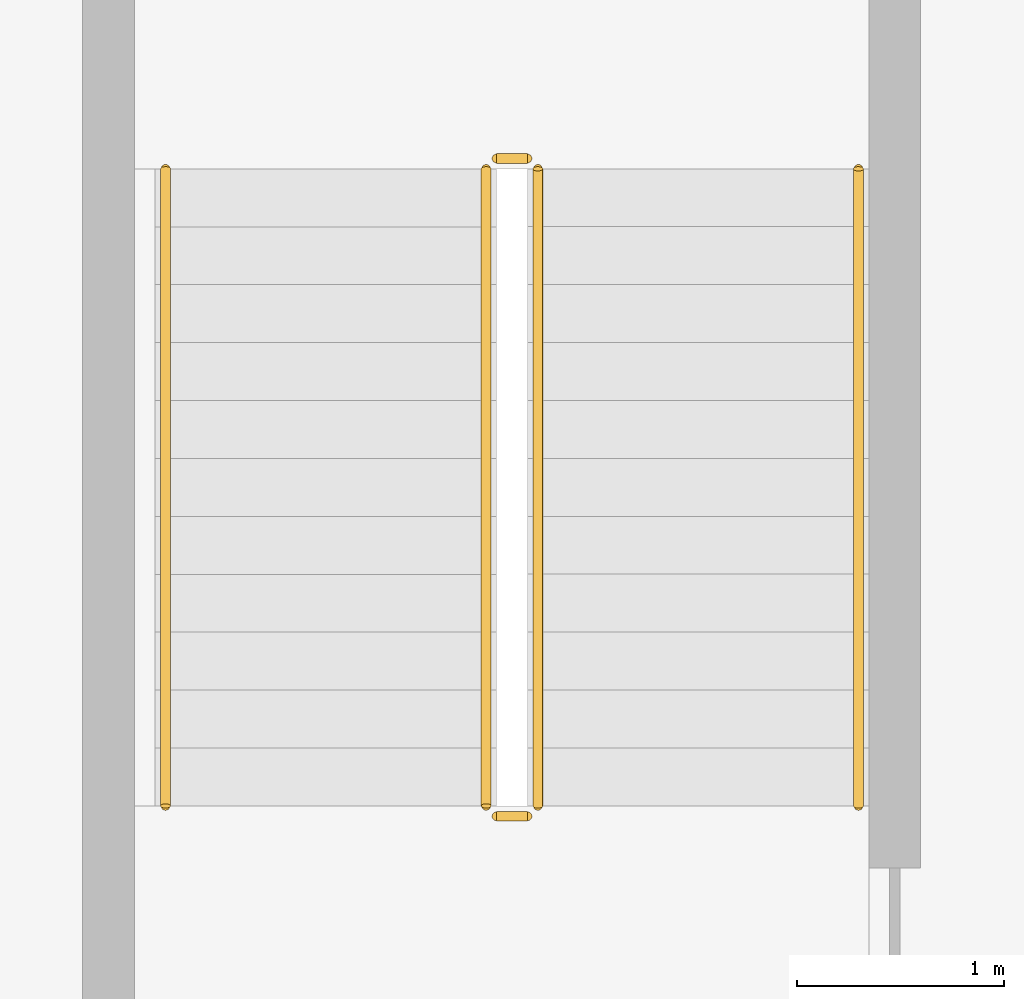
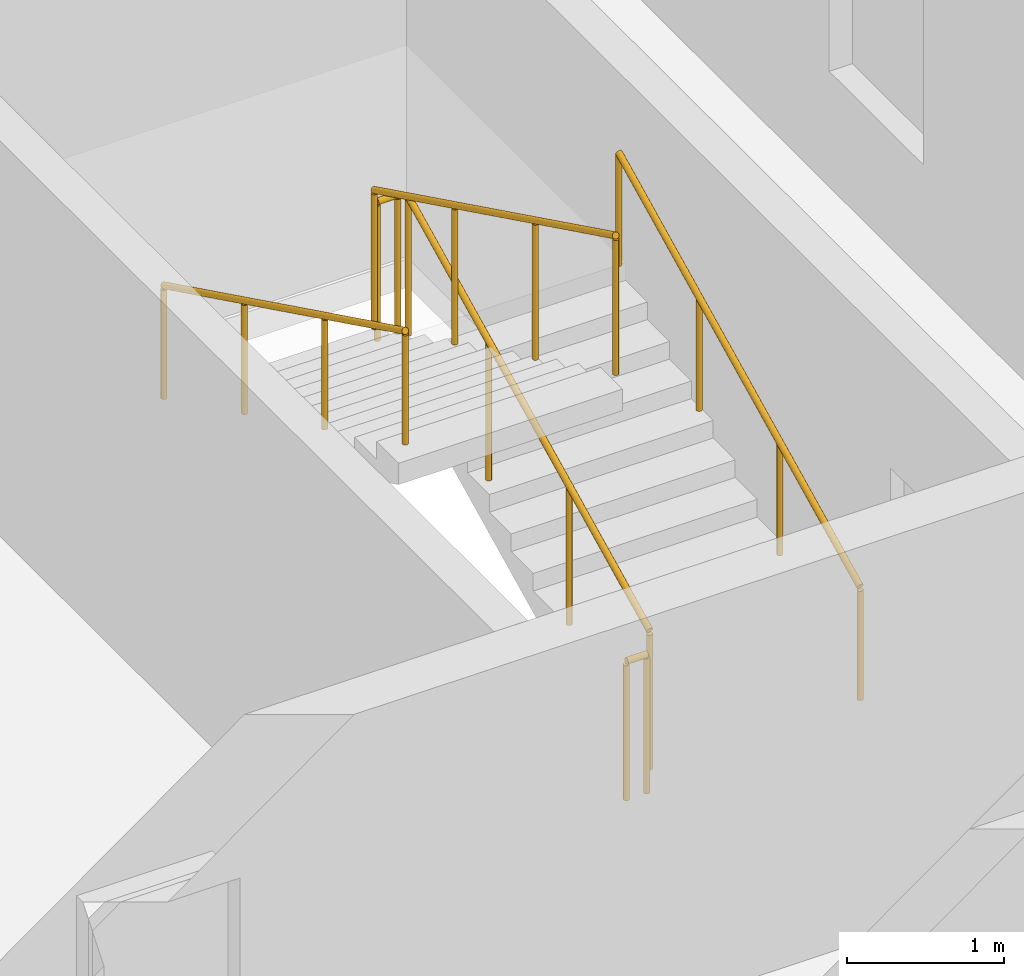
# One storey, part 15 of 29: 6 railings.
"""IFC4 building model written with IfcOpenShell, lengths in metres."""

from ifc_helpers import new_model, si_unit, direction, frame, origin, origin_2d, place, context, subcontext, project, spatial, circle, extrude, material, type_object, element, save


model = new_model("IFC4")

# Units and contexts
model_context = context("Model", 3, precision=1e-05, world=origin(), true_north=direction((0.0, 1.0)))
body_context = subcontext(model_context, "Body", "Model", "MODEL_VIEW")
ifc_project = project(units=[si_unit("LENGTHUNIT", "METRE"), si_unit("AREAUNIT", "SQUARE_METRE"), si_unit("VOLUMEUNIT", "CUBIC_METRE"), si_unit("PLANEANGLEUNIT", "RADIAN"), si_unit("MASSUNIT", "GRAM", prefix="KILO")], contexts=[model_context])

# Site, building, storey
site_placement = place(None, origin())
site = spatial("IfcSite", under=ifc_project, at=site_placement, CompositionType="ELEMENT")
building_placement = place(site_placement, origin())
building = spatial("IfcBuilding", under=site, at=building_placement, Name="Poui Terraces", CompositionType="ELEMENT")
storey_placement = place(building_placement, frame((0.0, 0.0, 231.300048828125)))
storey = spatial("IfcBuildingStorey", under=building, at=storey_placement, Name="L64", CompositionType="ELEMENT", Elevation=231.300048828125)

# Railings
ifc_material_1 = material(Name="Galvanised steel balustrade", Category="steel")
railing_type_1 = type_object("IfcRailingType", Name="STAIR GUARD 1100", PredefinedType="GUARDRAIL", material=ifc_material_1)
railing_1_placement = place(storey_placement, frame((79.47509765625, 16.60009765625, 0.137451171875)))
element("IfcRailing", 1, at=railing_1_placement, inside=storey, type_object=railing_type_1, Name="L64 ST-E stair guard 1", PredefinedType="GUARDRAIL", context=body_context, shape_type="SweptSolid", body=[
    extrude(circle(Radius=0.02392578125, at=origin_2d()), frame((0.0, 0.0, 1.076171875), z_axis=(0.0, 0.897606190399, 0.440798283751), x_axis=(-1.0, 0.0, 0.0)), (0.0, 0.0, 1.0), 3.43115234375),
    extrude(circle(Radius=0.02099609375, at=origin_2d()), origin(), (0.0, 0.0, 1.0), 1.052001953125),
    extrude(circle(Radius=0.02099609375, at=origin_2d()), frame((0.0, 1.026611328125, 0.504150390625)), (0.0, 0.0, 1.0), 1.052001953125),
    extrude(circle(Radius=0.02099609375, at=origin_2d()), frame((0.0, 2.05322265625, 1.00830078125)), (0.0, 0.0, 1.0), 1.052001953125),
    extrude(circle(Radius=0.02099609375, at=origin_2d()), frame((0.0, 3.079833984375, 1.512451171875)), (0.0, 0.0, 1.0), 1.052001953125),
])
railing_2_placement = place(storey_placement, frame((79.425048828125, 19.72998046875, 1.64990234375)))
element("IfcRailing", 2, at=railing_2_placement, inside=storey, type_object=railing_type_1, Name="L64 ST-E stair guard 2", PredefinedType="GUARDRAIL", context=body_context, shape_type="SweptSolid", body=[
    extrude(circle(Radius=0.02392578125, at=origin_2d()), frame((0.0, 0.0, 1.076171875), z_axis=(-1.0, 0.0, 0.0), x_axis=(0.0, -1.0, 0.0)), (0.0, 0.0, 1.0), 0.150146484375),
    extrude(circle(Radius=0.02099609375, at=origin_2d()), origin(), (0.0, 0.0, 1.0), 1.052001953125),
    extrude(circle(Radius=0.02099609375, at=origin_2d()), frame((-0.150146484375, 0.0, 0.0)), (0.0, 0.0, 1.0), 1.052001953125),
])
railing_3_placement = place(storey_placement, frame((79.22509765625, 19.679931640625, 1.787353515625)))
element("IfcRailing", 3, at=railing_3_placement, inside=storey, type_object=railing_type_1, Name="L64 ST-E stair guard 3", PredefinedType="GUARDRAIL", context=body_context, shape_type="SweptSolid", body=[
    extrude(circle(Radius=0.02392578125, at=origin_2d()), frame((0.0, 0.0, 1.076171875), z_axis=(0.0, -0.897578036475, 0.440855609512), x_axis=(1.0, 0.0, 0.0)), (0.0, 0.0, 1.0), 3.43115234375),
    extrude(circle(Radius=0.02099609375, at=origin_2d()), origin(), (0.0, 0.0, 1.0), 1.052001953125),
    extrude(circle(Radius=0.02099609375, at=origin_2d()), frame((0.0, -1.026611328125, 0.504150390625)), (0.0, 0.0, 1.0), 1.052001953125),
    extrude(circle(Radius=0.02099609375, at=origin_2d()), frame((0.0, -2.05322265625, 1.008544921875)), (0.0, 0.0, 1.0), 1.052001953125),
    extrude(circle(Radius=0.02099609375, at=origin_2d()), frame((0.0, -3.079833984375, 1.5126953125)), (0.0, 0.0, 1.0), 1.052001953125),
])
railing_4_placement = place(storey_placement, frame((79.425048828125, 16.550048828125, 0.0)))
element("IfcRailing", 4, at=railing_4_placement, inside=storey, type_object=railing_type_1, Name="L64 ST-E stair guard 4", PredefinedType="GUARDRAIL", context=body_context, shape_type="SweptSolid", body=[
    extrude(circle(Radius=0.02392578125, at=origin_2d()), frame((0.0, 0.0, 1.076171875), z_axis=(-1.0, 0.0, 0.0), x_axis=(0.0, -1.0, 0.0)), (0.0, 0.0, 1.0), 0.150146484375),
    extrude(circle(Radius=0.02099609375, at=origin_2d()), origin(), (0.0, 0.0, 1.0), 1.052001953125),
    extrude(circle(Radius=0.02099609375, at=origin_2d()), frame((-0.150146484375, 0.0, 0.0)), (0.0, 0.0, 1.0), 1.052001953125),
])
ifc_material_2 = material(Name="Stainless steel handrail", Category="steel")
railing_type_2 = type_object("IfcRailingType", Name="STAIR HANDRAIL 900", PredefinedType="HANDRAIL", material=ifc_material_2)
railing_5_placement = place(storey_placement, frame((81.02490234375, 16.60009765625, 0.137451171875)))
element("IfcRailing", 5, at=railing_5_placement, inside=storey, type_object=railing_type_2, Name="L64 ST-E stair handrail 1", PredefinedType="HANDRAIL", context=body_context, shape_type="SweptSolid", body=[
    extrude(circle(Radius=0.02392578125, at=origin_2d()), frame((0.0, 0.0, 0.8759765625), z_axis=(0.0, 0.897606190399, 0.440798283751), x_axis=(-1.0, 0.0, 0.0)), (0.0, 0.0, 1.0), 3.43115234375),
    extrude(circle(Radius=0.02099609375, at=origin_2d()), origin(), (0.0, 0.0, 1.0), 0.851806640625),
    extrude(circle(Radius=0.02099609375, at=origin_2d()), frame((0.0, 1.026611328125, 0.504150390625)), (0.0, 0.0, 1.0), 0.851806640625),
    extrude(circle(Radius=0.02099609375, at=origin_2d()), frame((0.0, 2.05322265625, 1.00830078125)), (0.0, 0.0, 1.0), 0.851806640625),
    extrude(circle(Radius=0.02099609375, at=origin_2d()), frame((0.0, 3.079833984375, 1.512451171875)), (0.0, 0.0, 1.0), 0.851806640625),
])
railing_6_placement = place(storey_placement, frame((77.675048828125, 19.679931640625, 1.787353515625)))
element("IfcRailing", 6, at=railing_6_placement, inside=storey, type_object=railing_type_2, Name="L64 ST-E stair handrail 2", PredefinedType="HANDRAIL", context=body_context, shape_type="SweptSolid", body=[
    extrude(circle(Radius=0.02392578125, at=origin_2d()), frame((0.0, 0.0, 0.8759765625), z_axis=(0.0, -0.897578036475, 0.440855609512), x_axis=(1.0, 0.0, 0.0)), (0.0, 0.0, 1.0), 3.43115234375),
    extrude(circle(Radius=0.02099609375, at=origin_2d()), origin(), (0.0, 0.0, 1.0), 0.851806640625),
    extrude(circle(Radius=0.02099609375, at=origin_2d()), frame((0.0, -1.026611328125, 0.504150390625)), (0.0, 0.0, 1.0), 0.851806640625),
    extrude(circle(Radius=0.02099609375, at=origin_2d()), frame((0.0, -2.05322265625, 1.008544921875)), (0.0, 0.0, 1.0), 0.851806640625),
    extrude(circle(Radius=0.02099609375, at=origin_2d()), frame((0.0, -3.079833984375, 1.5126953125)), (0.0, 0.0, 1.0), 0.851806640625),
])

save(model, "model.ifc")
